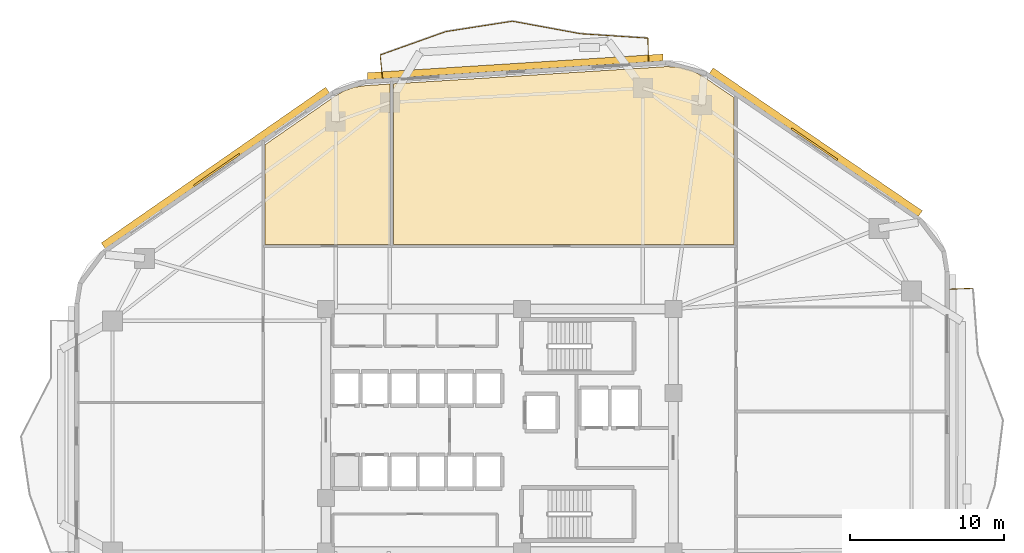
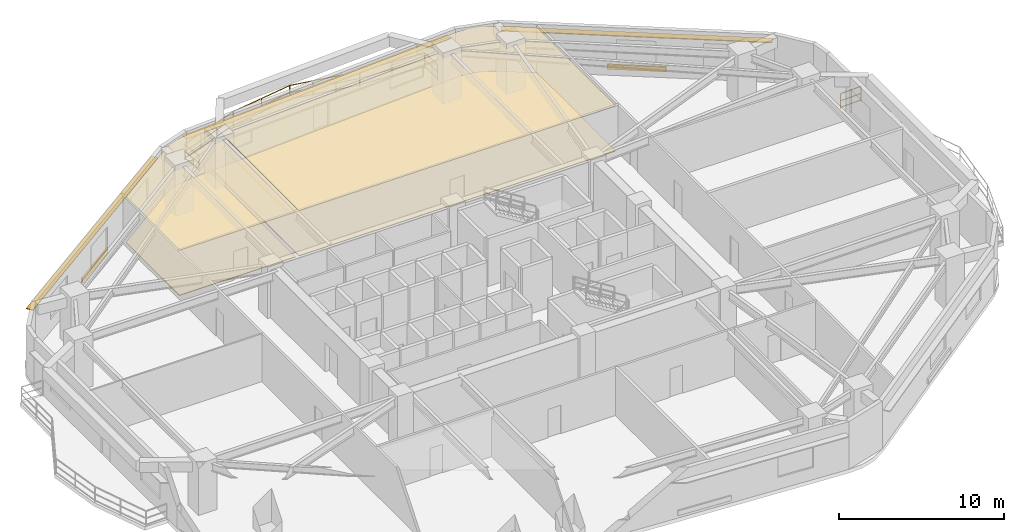
# One storey, part 9 of 10: 7 railings, 5 shading devices, 4 coverings.
"""IFC4 building model written with IfcOpenShell, lengths in metres."""

from ifc_helpers import new_model, si_unit, direction, frame, origin, origin_2d, place, context, subcontext, project, spatial, polyline, rectangle, outline, extrude, material, layer, layer_set, type_object, element, save


model = new_model("IFC4")

# Units and contexts
model_context = context("Model", 3, precision=1e-05, world=origin(), true_north=direction((0.0, 1.0)))
body_context = subcontext(model_context, "Body", "Model", "MODEL_VIEW")
ifc_project = project(units=[si_unit("LENGTHUNIT", "METRE"), si_unit("AREAUNIT", "SQUARE_METRE"), si_unit("VOLUMEUNIT", "CUBIC_METRE"), si_unit("PLANEANGLEUNIT", "RADIAN"), si_unit("MASSUNIT", "GRAM", prefix="KILO")], contexts=[model_context])

# Site, building, storey
site_placement = place(None, origin())
site = spatial("IfcSite", under=ifc_project, at=site_placement, CompositionType="ELEMENT")
building_placement = place(site_placement, origin())
building = spatial("IfcBuilding", under=site, at=building_placement, Name="Zulverin Broadcast Headquarters", CompositionType="ELEMENT")
storey_placement = place(building_placement, frame((0.0, 0.0, 66.800048828125)))
storey = spatial("IfcBuildingStorey", under=building, at=storey_placement, Name="L16", CompositionType="ELEMENT", Elevation=66.800048828125)

# Coverings
ifc_material_1 = material(Name="Perforated pale-metal acoustic baffle ceiling", Category="aluminium")
ifc_layer_1 = layer(ifc_material_1, 0.0400390625, Name="Perforated pale-metal acoustic baffle ceiling", Category="aluminium")
ifc_layer_set_1 = layer_set([ifc_layer_1], Name="Perforated pale-metal acoustic baffle ceiling")
covering_type_1 = type_object("IfcCoveringType", Name="COV-CEIL-ACOU", PredefinedType="CEILING", material=ifc_layer_set_1)
covering_1_placement = place(storey_placement, frame((0.0, 0.0, 3.344970703125)))
element("IfcCovering", 1, at=covering_1_placement, inside=storey, type_object=covering_type_1, Name="L16 Acoustic Baffle Ceiling 01", PredefinedType="CEILING", context=body_context, shape_type="SweptSolid", body=[
    extrude(outline(polyline([(29.8798828125, 37.27197265625), (29.8798828125, 47.676025390625), (28.27587890625, 47.575927734375), (27.575927734375, 47.468017578125), (26.927978515625, 47.243896484375), (26.31591796875, 46.89599609375), (21.77197265625, 43.739990234375), (21.77197265625, 37.27197265625), (29.8798828125, 37.27197265625)])), origin(), (0.0, 0.0, 1.0), 0.0400390625),
])
covering_2_placement = place(storey_placement, frame((0.0, 0.0, 3.344970703125)))
element("IfcCovering", 2, at=covering_2_placement, inside=storey, type_object=covering_type_1, Name="L16 Acoustic Baffle Ceiling 02", PredefinedType="CEILING", context=body_context, shape_type="SweptSolid", body=[
    extrude(outline(polyline([(52.23193359375, 37.27197265625), (52.23193359375, 46.7880859375), (50.248046875, 48.139892578125), (49.491943359375, 48.548095703125), (48.68408203125, 48.76806640625), (47.823974609375, 48.80810546875), (30.1201171875, 47.69189453125), (30.1201171875, 37.27197265625), (52.23193359375, 37.27197265625)])), origin(), (0.0, 0.0, 1.0), 0.0400390625),
])
ifc_material_2 = material(Name="Anti-static broadcast raised access flooring", Category="stone")
ifc_layer_2 = layer(ifc_material_2, 0.050048828125, Name="Anti-static broadcast raised access flooring", Category="stone")
ifc_layer_set_2 = layer_set([ifc_layer_2], Name="Anti-static broadcast raised access flooring")
covering_type_2 = type_object("IfcCoveringType", Name="COV-FLR-RAISED", PredefinedType="FLOORING", material=ifc_layer_set_2)
covering_3_placement = place(storey_placement, origin())
element("IfcCovering", 3, at=covering_3_placement, inside=storey, type_object=covering_type_2, Name="L16 Broadcast Raised Access Flooring 01", PredefinedType="FLOORING", context=body_context, shape_type="SweptSolid", body=[
    extrude(outline(polyline([(29.8798828125, 37.27197265625), (29.8798828125, 47.676025390625), (28.27587890625, 47.575927734375), (27.575927734375, 47.468017578125), (26.927978515625, 47.243896484375), (26.31591796875, 46.89599609375), (21.77197265625, 43.739990234375), (21.77197265625, 37.27197265625), (29.8798828125, 37.27197265625)])), origin(), (0.0, 0.0, 1.0), 0.050048828125),
])
covering_4_placement = place(storey_placement, origin())
element("IfcCovering", 4, at=covering_4_placement, inside=storey, type_object=covering_type_2, Name="L16 Broadcast Raised Access Flooring 02", PredefinedType="FLOORING", context=body_context, shape_type="SweptSolid", body=[
    extrude(outline(polyline([(52.23193359375, 37.27197265625), (52.23193359375, 46.7880859375), (50.248046875, 48.139892578125), (49.491943359375, 48.548095703125), (48.68408203125, 48.76806640625), (47.823974609375, 48.80810546875), (30.1201171875, 47.69189453125), (30.1201171875, 37.27197265625), (52.23193359375, 37.27197265625)])), origin(), (0.0, 0.0, 1.0), 0.050048828125),
])

# Railings
ifc_material_3 = material(Name="Brushed stainless steel & laminated glass balustrade", Category="steel")
railing_type = type_object("IfcRailingType", Name="RL-GUARD-1150", PredefinedType="GUARDRAIL", material=ifc_material_3)
railing_1_placement = place(storey_placement, frame((67.705078125, 34.413818359375, 0.0)))
element("IfcRailing", 5, at=railing_1_placement, inside=storey, type_object=railing_type, Name="L16 Vertical-Forest Balcony Guardrail BAL_E Segment 06", PredefinedType="GUARDRAIL", context=body_context, shape_type="SweptSolid", body=[
    extrude(rectangle(XDim=0.048095703125, YDim=0.048095703125, at=origin_2d()), frame((0.0, 0.0, 1.1259765625), z_axis=(-0.999181155166, -0.040460093435, 0.0), x_axis=(0.040460093435, -0.999181155166, 0.0)), (0.0, 0.0, 1.0), 1.46630859375),
    extrude(rectangle(XDim=0.0419921875, YDim=0.0419921875, at=origin_2d()), frame((0.0, 0.0, 0.597900390625), z_axis=(-0.999181155166, -0.040460093435, 0.0), x_axis=(0.040460093435, -0.999181155166, 0.0)), (0.0, 0.0, 1.0), 1.46630859375),
    extrude(rectangle(XDim=0.0419921875, YDim=0.0419921875, at=origin_2d()), frame((0.0, 0.0, 0.1201171875), z_axis=(-0.999181155166, -0.040460093435, 0.0), x_axis=(0.040460093435, -0.999181155166, 0.0)), (0.0, 0.0, 1.0), 1.46630859375),
    extrude(rectangle(XDim=0.0419921875, YDim=0.0419921875, at=origin_2d()), origin(), (0.0, 0.0, 1.0), 1.101806640625),
    extrude(rectangle(XDim=0.0419921875, YDim=0.0419921875, at=origin_2d()), frame((-1.465087890625, -0.059326171875, 0.0)), (0.0, 0.0, 1.0), 1.101806640625),
])
railing_2_placement = place(storey_placement, frame((46.662841796875, 49.176025390625, 0.0)))
element("IfcRailing", 6, at=railing_2_placement, inside=storey, type_object=railing_type, Name="L16 Vertical-Forest Balcony Guardrail BAL_N Segment 01", PredefinedType="GUARDRAIL", context=body_context, shape_type="SweptSolid", body=[
    extrude(rectangle(XDim=0.048095703125, YDim=0.048095703125, at=origin_2d()), frame((0.0, 0.0, 1.1259765625), z_axis=(-0.022479328211, 0.999747307975, 0.0), x_axis=(-0.999747307975, -0.022479328211, 0.0)), (0.0, 0.0, 1.0), 1.46630859375),
    extrude(rectangle(XDim=0.0419921875, YDim=0.0419921875, at=origin_2d()), frame((0.0, 0.0, 0.597900390625), z_axis=(-0.022479328211, 0.999747307975, 0.0), x_axis=(-0.999747307975, -0.022479328211, 0.0)), (0.0, 0.0, 1.0), 1.46630859375),
    extrude(rectangle(XDim=0.0419921875, YDim=0.0419921875, at=origin_2d()), frame((0.0, 0.0, 0.1201171875), z_axis=(-0.022479328211, 0.999747307975, 0.0), x_axis=(-0.999747307975, -0.022479328211, 0.0)), (0.0, 0.0, 1.0), 1.46630859375),
    extrude(rectangle(XDim=0.0419921875, YDim=0.0419921875, at=origin_2d()), origin(), (0.0, 0.0, 1.0), 1.101806640625),
    extrude(rectangle(XDim=0.0419921875, YDim=0.0419921875, at=origin_2d()), frame((-0.032958984375, 1.4658203125, 0.0)), (0.0, 0.0, 1.0), 1.101806640625),
])
railing_3_placement = place(storey_placement, frame((46.614501953125, 50.657958984375, 0.0)))
element("IfcRailing", 7, at=railing_3_placement, inside=storey, type_object=railing_type, Name="L16 Vertical-Forest Balcony Guardrail BAL_N Segment 02", PredefinedType="GUARDRAIL", context=body_context, shape_type="SweptSolid", body=[
    extrude(rectangle(XDim=0.048095703125, YDim=0.048095703125, at=origin_2d()), frame((0.0, 0.0, 1.1259765625), z_axis=(-0.997884053824, 0.065018575224, 0.0), x_axis=(-0.065018575224, -0.997884053824, 0.0)), (0.0, 0.0, 1.0), 4.36328125),
    extrude(rectangle(XDim=0.0419921875, YDim=0.0419921875, at=origin_2d()), frame((0.0, 0.0, 0.597900390625), z_axis=(-0.997884053824, 0.065018575224, 0.0), x_axis=(-0.065018575224, -0.997884053824, 0.0)), (0.0, 0.0, 1.0), 4.36328125),
    extrude(rectangle(XDim=0.0419921875, YDim=0.0419921875, at=origin_2d()), frame((0.0, 0.0, 0.1201171875), z_axis=(-0.997884053824, 0.065018575224, 0.0), x_axis=(-0.065018575224, -0.997884053824, 0.0)), (0.0, 0.0, 1.0), 4.36328125),
    extrude(rectangle(XDim=0.0419921875, YDim=0.0419921875, at=origin_2d()), origin(), (0.0, 0.0, 1.0), 1.101806640625),
    extrude(rectangle(XDim=0.0419921875, YDim=0.0419921875, at=origin_2d()), frame((-2.177001953125, 0.141845703125, 0.0)), (0.0, 0.0, 1.0), 1.101806640625),
    extrude(rectangle(XDim=0.0419921875, YDim=0.0419921875, at=origin_2d()), frame((-4.35400390625, 0.28369140625, 0.0)), (0.0, 0.0, 1.0), 1.101806640625),
])
railing_4_placement = place(storey_placement, frame((42.230712890625, 50.9453125, 0.0)))
element("IfcRailing", 8, at=railing_4_placement, inside=storey, type_object=railing_type, Name="L16 Vertical-Forest Balcony Guardrail BAL_N Segment 03", PredefinedType="GUARDRAIL", context=body_context, shape_type="SweptSolid", body=[
    extrude(rectangle(XDim=0.048095703125, YDim=0.048095703125, at=origin_2d()), frame((0.0, 0.0, 1.1259765625), z_axis=(-0.983498315352, 0.180917284139, 0.0), x_axis=(-0.180917284139, -0.983498315352, 0.0)), (0.0, 0.0, 1.0), 4.46142578125),
    extrude(rectangle(XDim=0.0419921875, YDim=0.0419921875, at=origin_2d()), frame((0.0, 0.0, 0.597900390625), z_axis=(-0.983498315352, 0.180917284139, 0.0), x_axis=(-0.180917284139, -0.983498315352, 0.0)), (0.0, 0.0, 1.0), 4.46142578125),
    extrude(rectangle(XDim=0.0419921875, YDim=0.0419921875, at=origin_2d()), frame((0.0, 0.0, 0.1201171875), z_axis=(-0.983498315352, 0.180917284139, 0.0), x_axis=(-0.180917284139, -0.983498315352, 0.0)), (0.0, 0.0, 1.0), 4.46142578125),
    extrude(rectangle(XDim=0.0419921875, YDim=0.0419921875, at=origin_2d()), origin(), (0.0, 0.0, 1.0), 1.101806640625),
    extrude(rectangle(XDim=0.0419921875, YDim=0.0419921875, at=origin_2d()), frame((-1.462646484375, 0.26904296875, 0.0)), (0.0, 0.0, 1.0), 1.101806640625),
    extrude(rectangle(XDim=0.0419921875, YDim=0.0419921875, at=origin_2d()), frame((-2.925048828125, 0.5380859375, 0.0)), (0.0, 0.0, 1.0), 1.101806640625),
    extrude(rectangle(XDim=0.0419921875, YDim=0.0419921875, at=origin_2d()), frame((-4.3876953125, 0.80712890625, 0.0)), (0.0, 0.0, 1.0), 1.101806640625),
])
railing_5_placement = place(storey_placement, frame((37.8134765625, 51.7529296875, 0.0)))
element("IfcRailing", 9, at=railing_5_placement, inside=storey, type_object=railing_type, Name="L16 Vertical-Forest Balcony Guardrail BAL_N Segment 04", PredefinedType="GUARDRAIL", context=body_context, shape_type="SweptSolid", body=[
    extrude(rectangle(XDim=0.048095703125, YDim=0.048095703125, at=origin_2d()), frame((0.0, 0.0, 1.1259765625), z_axis=(-0.988057241682, -0.154087271245, 0.0), x_axis=(0.154087271245, -0.988057241682, 0.0)), (0.0, 0.0, 1.0), 4.34619140625),
    extrude(rectangle(XDim=0.0419921875, YDim=0.0419921875, at=origin_2d()), frame((0.0, 0.0, 0.597900390625), z_axis=(-0.988057241682, -0.154087271245, 0.0), x_axis=(0.154087271245, -0.988057241682, 0.0)), (0.0, 0.0, 1.0), 4.34619140625),
    extrude(rectangle(XDim=0.0419921875, YDim=0.0419921875, at=origin_2d()), frame((0.0, 0.0, 0.1201171875), z_axis=(-0.988057241682, -0.154087271245, 0.0), x_axis=(0.154087271245, -0.988057241682, 0.0)), (0.0, 0.0, 1.0), 4.34619140625),
    extrude(rectangle(XDim=0.0419921875, YDim=0.0419921875, at=origin_2d()), origin(), (0.0, 0.0, 1.0), 1.101806640625),
    extrude(rectangle(XDim=0.0419921875, YDim=0.0419921875, at=origin_2d()), frame((-2.14697265625, -0.3349609375, 0.0)), (0.0, 0.0, 1.0), 1.101806640625),
    extrude(rectangle(XDim=0.0419921875, YDim=0.0419921875, at=origin_2d()), frame((-4.294189453125, -0.669677734375, 0.0)), (0.0, 0.0, 1.0), 1.101806640625),
])
railing_6_placement = place(storey_placement, frame((33.490478515625, 51.075927734375, 0.0)))
element("IfcRailing", 10, at=railing_6_placement, inside=storey, type_object=railing_type, Name="L16 Vertical-Forest Balcony Guardrail BAL_N Segment 05", PredefinedType="GUARDRAIL", context=body_context, shape_type="SweptSolid", body=[
    extrude(rectangle(XDim=0.048095703125, YDim=0.048095703125, at=origin_2d()), frame((0.0, 0.0, 1.1259765625), z_axis=(-0.942022481817, -0.335549763451, 0.0), x_axis=(0.335549763451, -0.942022481817, 0.0)), (0.0, 0.0, 1.0), 4.5029296875),
    extrude(rectangle(XDim=0.0419921875, YDim=0.0419921875, at=origin_2d()), frame((0.0, 0.0, 0.597900390625), z_axis=(-0.942022481817, -0.335549763451, 0.0), x_axis=(0.335549763451, -0.942022481817, 0.0)), (0.0, 0.0, 1.0), 4.5029296875),
    extrude(rectangle(XDim=0.0419921875, YDim=0.0419921875, at=origin_2d()), frame((0.0, 0.0, 0.1201171875), z_axis=(-0.942022481817, -0.335549763451, 0.0), x_axis=(0.335549763451, -0.942022481817, 0.0)), (0.0, 0.0, 1.0), 4.5029296875),
    extrude(rectangle(XDim=0.0419921875, YDim=0.0419921875, at=origin_2d()), origin(), (0.0, 0.0, 1.0), 1.101806640625),
    extrude(rectangle(XDim=0.0419921875, YDim=0.0419921875, at=origin_2d()), frame((-1.4140625, -0.503662109375, 0.0)), (0.0, 0.0, 1.0), 1.101806640625),
    extrude(rectangle(XDim=0.0419921875, YDim=0.0419921875, at=origin_2d()), frame((-2.827880859375, -1.00732421875, 0.0)), (0.0, 0.0, 1.0), 1.101806640625),
    extrude(rectangle(XDim=0.0419921875, YDim=0.0419921875, at=origin_2d()), frame((-4.241943359375, -1.510986328125, 0.0)), (0.0, 0.0, 1.0), 1.101806640625),
])
railing_7_placement = place(storey_placement, frame((29.236083984375, 49.545166015625, 0.0)))
element("IfcRailing", 11, at=railing_7_placement, inside=storey, type_object=railing_type, Name="L16 Vertical-Forest Balcony Guardrail BAL_N Segment 06", PredefinedType="GUARDRAIL", context=body_context, shape_type="SweptSolid", body=[
    extrude(rectangle(XDim=0.048095703125, YDim=0.048095703125, at=origin_2d()), frame((0.0, 0.0, 1.1259765625), z_axis=(0.103393334431, -0.994640547331, 0.0), x_axis=(0.994640547331, 0.103393334431, 0.0)), (0.0, 0.0, 1.0), 1.46630859375),
    extrude(rectangle(XDim=0.0419921875, YDim=0.0419921875, at=origin_2d()), frame((0.0, 0.0, 0.597900390625), z_axis=(0.103393334431, -0.994640547331, 0.0), x_axis=(0.994640547331, 0.103393334431, 0.0)), (0.0, 0.0, 1.0), 1.46630859375),
    extrude(rectangle(XDim=0.0419921875, YDim=0.0419921875, at=origin_2d()), frame((0.0, 0.0, 0.1201171875), z_axis=(0.103393334431, -0.994640547331, 0.0), x_axis=(0.994640547331, 0.103393334431, 0.0)), (0.0, 0.0, 1.0), 1.46630859375),
    extrude(rectangle(XDim=0.0419921875, YDim=0.0419921875, at=origin_2d()), origin(), (0.0, 0.0, 1.0), 1.101806640625),
    extrude(rectangle(XDim=0.0419921875, YDim=0.0419921875, at=origin_2d()), frame((0.151611328125, -1.45849609375, 0.0)), (0.0, 0.0, 1.0), 1.101806640625),
])

# Shading devices
ifc_material_4 = material(Name="Anodized pale-metal aluminium acoustic louvre", Category="aluminium")
shading_device_type_1 = type_object("IfcShadingDeviceType", Name="SHD-LOUVRE-350", PredefinedType="USERDEFINED", material=ifc_material_4)
for number, where, z_axis, x_axis, name in (
    (12, (57.435302734375, 43.76708984375, 0.244873046875), (0.0, 0.0, 1.0), (-0.825756855157, 0.564026254851, 0.0), "L16 Spandrel Intake Louvre 4"),
    (13, (18.631103515625, 42.0966796875, 0.244873046875), (0.0, 0.0, 1.0), (-0.821556397865, -0.57012725345, 0.0), "L16 Spandrel Intake Louvre 6"),
):
    element("IfcShadingDevice", number, at=place(storey_placement, frame(where, z_axis=z_axis, x_axis=x_axis)), inside=storey, type_object=shading_device_type_1, Name=name, ObjectType="LOUVRE", PredefinedType="USERDEFINED", context=body_context, shape_type="SweptSolid", body=[
        extrude(rectangle(XDim=3.60009765625, YDim=0.1201171875, at=origin_2d()), origin(), (0.0, 0.0, 1.0), 0.35009765625),
    ])
ifc_material_5 = material(Name="Anodized pale-metal aluminium sunshade", Category="aluminium")
ifc_layer_3 = layer(ifc_material_5, 0.06005859375, Name="Anodized pale-metal aluminium sunshade", Category="aluminium")
ifc_layer_set_3 = layer_set([ifc_layer_3], Name="Anodized pale-metal aluminium sunshade")
shading_device_type_2 = type_object("IfcShadingDeviceType", Name="SS-01_PALE_METAL_ALUMINIUM_SUNSHADE", PredefinedType="USERDEFINED", material=ifc_layer_set_3)
shading_device_1_placement = place(storey_placement, frame((57.525390625, 43.8994140625, 2.7099609375), z_axis=(0.0, 0.0, 1.0), x_axis=(-0.825756855157, 0.564026254851, 0.0)))
element("IfcShadingDevice", 14, at=shading_device_1_placement, inside=storey, type_object=shading_device_type_2, Name="L16 Horizontal Pale-Metal Sunshade Band 4", ObjectType="SUNSHADE", PredefinedType="USERDEFINED", context=body_context, shape_type="SweptSolid", body=[
    extrude(rectangle(XDim=16.4482421875, YDim=0.449951171875, at=origin_2d()), origin(), (0.0, 0.0, 1.0), 0.06005859375),
])
shading_device_2_placement = place(storey_placement, frame((38.01513671875, 48.791015625, 2.7099609375), z_axis=(0.0, 0.0, 1.0), x_axis=(-0.998017621976, -0.062935095345, 0.0)))
element("IfcShadingDevice", 15, at=shading_device_2_placement, inside=storey, type_object=shading_device_type_2, Name="L16 Horizontal Pale-Metal Sunshade Band 5", ObjectType="SUNSHADE", PredefinedType="USERDEFINED", context=body_context, shape_type="SweptSolid", body=[
    extrude(rectangle(XDim=19.2294921875, YDim=0.449951171875, at=origin_2d()), origin(), (0.0, 0.0, 1.0), 0.06005859375),
])
shading_device_3_placement = place(storey_placement, frame((18.539794921875, 42.22802734375, 2.7099609375), z_axis=(0.0, 0.0, 1.0), x_axis=(-0.821556397865, -0.57012725345, 0.0)))
element("IfcShadingDevice", 16, at=shading_device_3_placement, inside=storey, type_object=shading_device_type_2, Name="L16 Horizontal Pale-Metal Sunshade Band 6", ObjectType="SUNSHADE", PredefinedType="USERDEFINED", context=body_context, shape_type="SweptSolid", body=[
    extrude(rectangle(XDim=17.732421875, YDim=0.449951171875, at=origin_2d()), origin(), (0.0, 0.0, 1.0), 0.06005859375),
])

save(model, "model.ifc")
